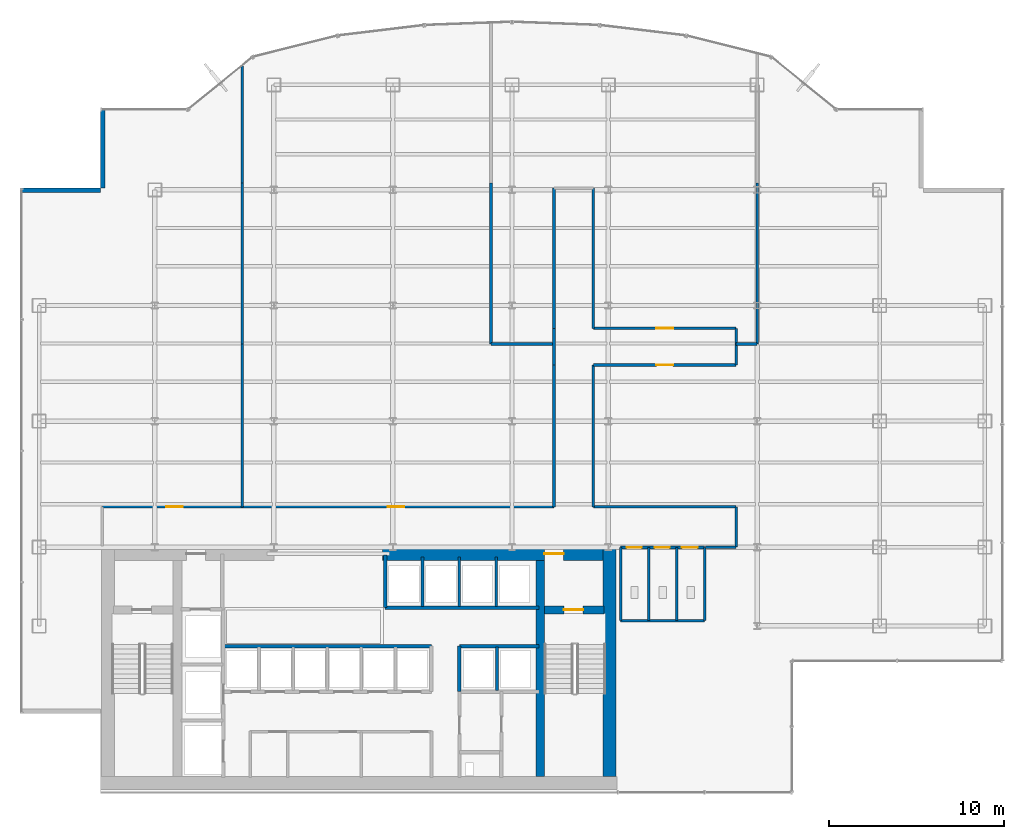
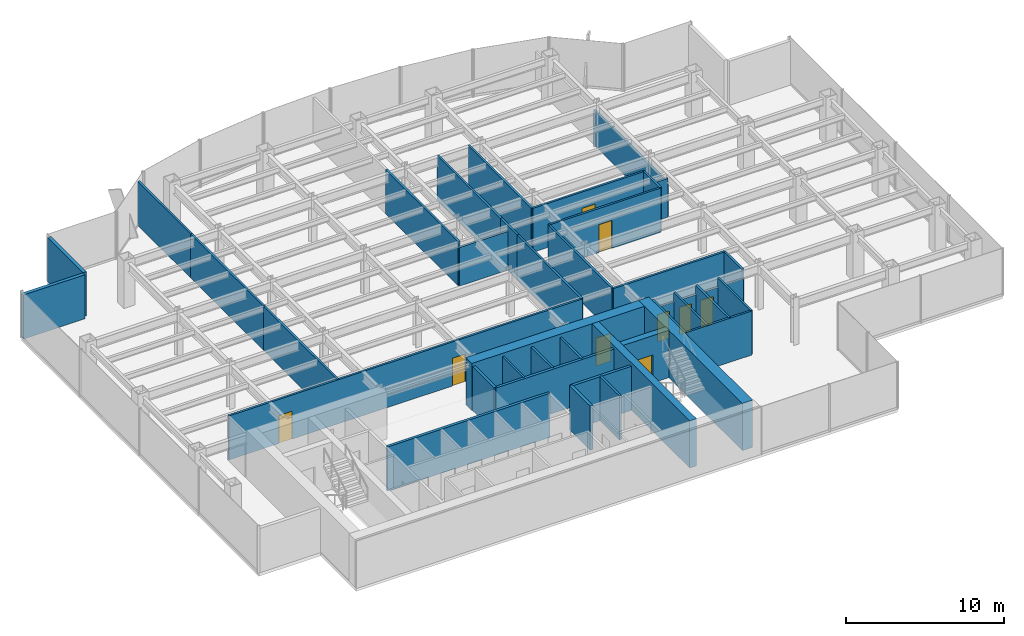
# One storey, part 22 of 26: 40 walls, 9 doors, 9 openings.
"""IFC4 building model written with IfcOpenShell, lengths in metres."""

from ifc_helpers import new_model, si_unit, derived_unit, direction, frame, frame_2d, origin, place, context, subcontext, project, spatial, rectangle, extrude, source, transform, mapped, material, layer, layer_set, type_object, element, fill, save


model = new_model("IFC4")

# Units and contexts
model_context = context("Model", 3, precision=1e-05, world=origin(), true_north=direction((0.0, 1.0)))
body_context = subcontext(model_context, "Body", "Model", "MODEL_VIEW")
ifc_project = project(units=[si_unit("LENGTHUNIT", "METRE"), si_unit("AREAUNIT", "SQUARE_METRE"), si_unit("VOLUMEUNIT", "CUBIC_METRE"), si_unit("PLANEANGLEUNIT", "RADIAN"), si_unit("MASSUNIT", "GRAM", prefix="KILO"), derived_unit("THERMALTRANSMITTANCEUNIT", [(si_unit("POWERUNIT", "WATT"), 1), (si_unit("LENGTHUNIT", "METRE"), -2), (si_unit("THERMODYNAMICTEMPERATUREUNIT", "KELVIN"), -1)])], contexts=[model_context])

# Site, building, storey
site_placement = place(None, origin())
site = spatial("IfcSite", under=ifc_project, at=site_placement, CompositionType="ELEMENT")
building_placement = place(site_placement, origin())
building = spatial("IfcBuilding", under=site, at=building_placement, Name="Skarnbrae Concourse Arena and Tower", CompositionType="ELEMENT")
storey_placement = place(building_placement, frame((0.0, 0.0, 99.60009765625)))
storey = spatial("IfcBuildingStorey", under=building, at=storey_placement, Name="L24", CompositionType="ELEMENT", Elevation=99.60009765625)

# Wall, opening, door
ifc_material_1 = material(Name="Concrete 50 MPa (C50/60)", Category="concrete")
ifc_layer_1 = layer(ifc_material_1, 0.449951171875)
ifc_layer_set_1 = layer_set([ifc_layer_1], Name="Concrete 50 MPa (C50/60)")
wall_type_1 = type_object("IfcWallType", Name="WALL-CORE-450-C50", PredefinedType="SHEAR", material=ifc_layer_set_1)
shared_shape_1 = source(origin(), body_context, "Body", "SweptSolid", [
    extrude(rectangle(XDim=3.389892578125, YDim=0.449951171875, at=frame_2d((1.69482421875, 0.0))), origin(), (0.0, 0.0, 1.0), 3.64990234375),
])
wall_1_placement = place(storey_placement, frame((29.860107421875, 10.419921875, 0.0), z_axis=(0.0, 0.0, 1.0), x_axis=(1.0, 0.0, 0.0)))
wall_1 = element("IfcWall", 1, at=wall_1_placement, inside=storey, type_object=wall_type_1, Name="L24 Rear core shear wall CW-ST2-N", PredefinedType="SHEAR", context=body_context, shape_type="MappedRepresentation", body=[
    mapped(shared_shape_1, transform((0.0, 0.0, 0.0))),
])
opening_1_placement = place(wall_1_placement, frame((1.10009765625, 0.0, 0.0)))
opening_1 = element("IfcOpeningElement", 2, at=opening_1_placement, cuts=wall_1, Name="Opening DT-03", PredefinedType="OPENING", context=body_context, shape_type="SweptSolid", body=[
    extrude(rectangle(XDim=1.10009765625, YDim=2.14990234375, at=frame_2d((0.550048828125, 1.074951171875))), frame((0.0, 0.23486328125, 0.0), z_axis=(0.0, -1.0, 0.0), x_axis=(1.0, 0.0, 0.0)), (0.0, 0.0, 1.0), 0.469970703125),
])
ifc_material_2 = material(Name="Steel CSA G40.21 350W", Category="steel")
door_type_1 = type_object("IfcDoorType", Name="DOOR-FIRE-1100-90M", OperationType="NOTDEFINED", PredefinedType="DOOR", material=ifc_material_2)
shared_shape_2 = source(origin(), body_context, "Body", "SweptSolid", [
    extrude(rectangle(XDim=1.10009765625, YDim=2.14990234375, at=frame_2d((0.550048828125, 1.074951171875))), frame((0.0, 0.02490234375, 0.0), z_axis=(0.0, -1.0, 0.0), x_axis=(1.0, 0.0, 0.0)), (0.0, 0.0, 1.0), 0.050048828125),
])
door_1_placement = place(opening_1_placement, frame((1.10009765625, 0.0, 0.0), z_axis=(0.0, 0.0, 1.0), x_axis=(-1.0, 0.0, 0.0)))
door_1 = element("IfcDoor", 3, at=door_1_placement, inside=storey, type_object=door_type_1, Name="D-0813 Stair ST-2 Door", OperationType="SINGLE_SWING_RIGHT", OverallHeight=2.14990234375, OverallWidth=1.10009765625, PredefinedType="DOOR", context=body_context, shape_type="MappedRepresentation", body=[
    mapped(shared_shape_2, transform((0.0, 0.0, 0.0))),
])
fill(opening_1, door_1)

# Wall
ifc_material_3 = material(Name="Concrete 60 MPa (C60/75)", Category="concrete")
ifc_layer_2 = layer(ifc_material_3, 0.75)
ifc_layer_set_2 = layer_set([ifc_layer_2], Name="Concrete 60 MPa (C60/75)")
wall_type_2 = type_object("IfcWallType", Name="WALL-CORE-750-C60", PredefinedType="SHEAR", material=ifc_layer_set_2)
shared_shape_3 = source(origin(), body_context, "Body", "SweptSolid", [
    extrude(rectangle(XDim=13.10009765625, YDim=0.75, at=frame_2d((6.550048828125, 0.0))), origin(), (0.0, 0.0, 1.0), 3.64990234375),
])
wall_2_placement = place(storey_placement, frame((33.574951171875, 0.89990234375, 0.0), z_axis=(0.0, 0.0, 1.0), x_axis=(0.0, 1.0, 0.0)))
element("IfcWall", 4, at=wall_2_placement, inside=storey, type_object=wall_type_2, Name="L24 Rear core shear wall CW-E", PredefinedType="SHEAR", context=body_context, shape_type="MappedRepresentation", body=[
    mapped(shared_shape_3, transform((0.0, 0.0, 0.0))),
])

# Wall, opening, door
shared_shape_4 = source(origin(), body_context, "Body", "SweptSolid", [
    extrude(rectangle(XDim=12.599853515625, YDim=0.75, at=frame_2d((6.2998046875, 0.0))), origin(), (0.0, 0.0, 1.0), 3.64990234375),
])
wall_3_placement = place(storey_placement, frame((20.60009765625, 13.625, 0.0), z_axis=(0.0, 0.0, 1.0), x_axis=(1.0, 0.0, 0.0)))
wall_3 = element("IfcWall", 5, at=wall_3_placement, inside=storey, type_object=wall_type_2, Name="L24 Rear core shear wall CW-NE", PredefinedType="SHEAR", context=body_context, shape_type="MappedRepresentation", body=[
    mapped(shared_shape_4, transform((0.0, 0.0, 0.0))),
])
opening_2_placement = place(wall_3_placement, frame((9.25, 0.0, 0.0)))
opening_2 = element("IfcOpeningElement", 6, at=opening_2_placement, cuts=wall_3, Name="Opening DT-03", PredefinedType="OPENING", context=body_context, shape_type="SweptSolid", body=[
    extrude(rectangle(XDim=1.10009765625, YDim=2.14990234375, at=frame_2d((0.550048828125, 1.074951171875))), frame((0.0, 0.385009765625, 0.0), z_axis=(0.0, -1.0, 0.0), x_axis=(1.0, 0.0, 0.0)), (0.0, 0.0, 1.0), 0.77001953125),
])
door_2_placement = place(opening_2_placement, origin())
door_2 = element("IfcDoor", 7, at=door_2_placement, inside=storey, type_object=door_type_1, Name="D-0815 Stair ST-2 Vestibule Door", OperationType="SINGLE_SWING_LEFT", OverallHeight=2.14990234375, OverallWidth=1.10009765625, PredefinedType="DOOR", context=body_context, shape_type="MappedRepresentation", body=[
    mapped(shared_shape_2, transform((0.0, 0.0, 0.0))),
])
fill(opening_2, door_2)

# Walls
ifc_layer_3 = layer(ifc_material_3, 0.5)
ifc_layer_set_3 = layer_set([ifc_layer_3], Name="Concrete 60 MPa (C60/75)")
wall_type_3 = type_object("IfcWallType", Name="WALL-CORE-500-C60", PredefinedType="SHEAR", material=ifc_layer_set_3)
shared_shape_5 = source(origin(), body_context, "Body", "SweptSolid", [
    extrude(rectangle(XDim=12.35009765625, YDim=0.5, at=frame_2d((6.175048828125, 0.0))), origin(), (0.0, 0.0, 1.0), 3.64990234375),
])
wall_4_placement = place(storey_placement, frame((29.610107421875, 0.89990234375, 0.0), z_axis=(0.0, 0.0, 1.0), x_axis=(0.0, 1.0, 0.0)))
element("IfcWall", 8, at=wall_4_placement, inside=storey, type_object=wall_type_3, Name="L24 Rear core shear wall CW-WEB-E", PredefinedType="SHEAR", context=body_context, shape_type="MappedRepresentation", body=[
    mapped(shared_shape_5, transform((0.0, 0.0, 0.0))),
])
ifc_material_4 = material(Name="Precast concrete 40 MPa (C40/50)", Category="concrete")
ifc_layer_4 = layer(ifc_material_4, 0.25)
ifc_layer_set_4 = layer_set([ifc_layer_4], Name="Precast concrete 40 MPa (C40/50)")
wall_type_4 = type_object("IfcWallType", Name="WALL-EXT-SPANDREL-250", PredefinedType="STANDARD", material=ifc_layer_set_4)
shared_shape_6 = source(origin(), body_context, "Body", "SweptSolid", [
    extrude(rectangle(XDim=4.5, YDim=0.25, at=frame_2d((2.25, 0.0))), origin(), (0.0, 0.0, 1.0), 3.39990234375),
])
for number, where, z_axis, x_axis, name in (
    (9, (4.625, 39.0, 0.0), (0.0, 0.0, 1.0), (0.0, -1.0, 0.0), "L24 Notched corner insulated return wall 17"),
    (10, (4.5, 34.375, 0.0), (0.0, 0.0, 1.0), (-1.0, 0.0, 0.0), "L24 Notched corner insulated return wall 18"),
):
    element("IfcWall", number, at=place(storey_placement, frame(where, z_axis=z_axis, x_axis=x_axis)), inside=storey, type_object=wall_type_4, Name=name, PredefinedType="STANDARD", context=body_context, shape_type="MappedRepresentation", body=[
        mapped(shared_shape_6, transform((0.0, 0.0, 0.0))),
    ])
ifc_material_5 = material(Name="Gypsum board on cold-formed steel studs", Category="steel")
ifc_layer_5 = layer(ifc_material_5, 0.199951171875)
ifc_layer_set_5 = layer_set([ifc_layer_5], Name="Gypsum board on cold-formed steel studs")
wall_type_5 = type_object("IfcWallType", Name="WALL-PART-200-2HR", PredefinedType="PARTITIONING", material=ifc_layer_set_5)
shared_shape_7 = source(origin(), body_context, "Body", "SweptSolid", [
    extrude(rectangle(XDim=11.849853515625, YDim=0.199951171875, at=frame_2d((5.9248046875, 0.0))), origin(), (0.0, 0.0, 1.0), 3.39990234375),
])
wall_5_placement = place(storey_placement, frame((11.550048828125, 8.35009765625, 0.0), z_axis=(0.0, 0.0, 1.0), x_axis=(1.0, 0.0, 0.0)))
element("IfcWall", 11, at=wall_5_placement, inside=storey, type_object=wall_type_5, Name="L24 Interior partition wall W-L24-B2-N", PredefinedType="PARTITIONING", context=body_context, shape_type="MappedRepresentation", body=[
    mapped(shared_shape_7, transform((0.0, 0.0, 0.0))),
])
shared_shape_8 = source(origin(), body_context, "Body", "SweptSolid", [
    extrude(rectangle(XDim=2.60009765625, YDim=0.199951171875, at=frame_2d((1.300048828125, 0.0))), origin(), (0.0, 0.0, 1.0), 3.39990234375),
])
wall_6_placement = place(storey_placement, frame((25.0, 5.75, 0.0), z_axis=(0.0, 0.0, 1.0), x_axis=(0.0, 1.0, 0.0)))
element("IfcWall", 12, at=wall_6_placement, inside=storey, type_object=wall_type_5, Name="L24 Interior partition wall W-L24-B3S-W", PredefinedType="PARTITIONING", context=body_context, shape_type="MappedRepresentation", body=[
    mapped(shared_shape_8, transform((0.0, 0.0, 0.0))),
])
ifc_layer_6 = layer(ifc_material_5, 0.14990234375)
ifc_layer_set_6 = layer_set([ifc_layer_6], Name="Gypsum board on cold-formed steel studs")
wall_type_6 = type_object("IfcWallType", Name="WALL-PART-150", PredefinedType="PARTITIONING", material=ifc_layer_set_6)
shared_shape_9 = source(origin(), body_context, "Body", "SweptSolid", [
    extrude(rectangle(XDim=2.5, YDim=0.14990234375, at=frame_2d((1.25, 0.0))), origin(), (0.0, 0.0, 1.0), 3.39990234375),
])
wall_7_placement = place(storey_placement, frame((27.139892578125, 5.800048828125, 0.0), z_axis=(0.0, 0.0, 1.0), x_axis=(0.0, 1.0, 0.0)))
element("IfcWall", 13, at=wall_7_placement, inside=storey, type_object=wall_type_6, Name="L24 Interior partition wall W-L24-B3S-P1", PredefinedType="PARTITIONING", context=body_context, shape_type="MappedRepresentation", body=[
    mapped(shared_shape_9, transform((0.0, 0.0, 0.0))),
])
shared_shape_10 = source(origin(), body_context, "Body", "SweptSolid", [
    extrude(rectangle(XDim=8.800048828125, YDim=0.199951171875, at=frame_2d((4.39990234375, 0.0))), origin(), (0.0, 0.0, 1.0), 3.39990234375),
])
wall_8_placement = place(storey_placement, frame((20.75, 10.550048828125, 0.0), z_axis=(0.0, 0.0, 1.0), x_axis=(1.0, 0.0, 0.0)))
element("IfcWall", 14, at=wall_8_placement, inside=storey, type_object=wall_type_5, Name="L24 Interior partition wall W-L24-B3N-S", PredefinedType="PARTITIONING", context=body_context, shape_type="MappedRepresentation", body=[
    mapped(shared_shape_10, transform((0.0, 0.0, 0.0))),
])
shared_shape_11 = source(origin(), body_context, "Body", "SweptSolid", [
    extrude(rectangle(XDim=3.0, YDim=0.199951171875, at=frame_2d((1.5, 0.0))), origin(), (0.0, 0.0, 1.0), 3.39990234375),
])
wall_9_placement = place(storey_placement, frame((20.75, 10.550048828125, 0.0), z_axis=(0.0, 0.0, 1.0), x_axis=(0.0, 1.0, 0.0)))
element("IfcWall", 15, at=wall_9_placement, inside=storey, type_object=wall_type_5, Name="L24 Interior partition wall W-L24-B3N-W", PredefinedType="PARTITIONING", context=body_context, shape_type="MappedRepresentation", body=[
    mapped(shared_shape_11, transform((0.0, 0.0, 0.0))),
])
shared_shape_12 = source(origin(), body_context, "Body", "SweptSolid", [
    extrude(rectangle(XDim=2.849853515625, YDim=0.14990234375, at=frame_2d((1.4248046875, 0.0))), origin(), (0.0, 0.0, 1.0), 3.39990234375),
])
for number, where, z_axis, x_axis, name in (
    (16, (22.889892578125, 10.60009765625, 0.0), (0.0, 0.0, 1.0), (0.0, 1.0, 0.0), "L24 Interior partition wall W-L24-B3N-P1"),
    (17, (24.989990234375, 10.60009765625, 0.0), (0.0, 0.0, 1.0), (0.0, 1.0, 0.0), "L24 Interior partition wall W-L24-B3N-P2"),
    (18, (27.090087890625, 10.60009765625, 0.0), (0.0, 0.0, 1.0), (0.0, 1.0, 0.0), "L24 Interior partition wall W-L24-B3N-P3"),
):
    element("IfcWall", number, at=place(storey_placement, frame(where, z_axis=z_axis, x_axis=x_axis)), inside=storey, type_object=wall_type_6, Name=name, PredefinedType="PARTITIONING", context=body_context, shape_type="MappedRepresentation", body=[
        mapped(shared_shape_12, transform((0.0, 0.0, 0.0))),
    ])
shared_shape_13 = source(origin(), body_context, "Body", "SweptSolid", [
    extrude(rectangle(XDim=4.550048828125, YDim=0.199951171875, at=frame_2d((2.27490234375, 0.0))), origin(), (0.0, 0.0, 1.0), 3.39990234375),
])
wall_10_placement = place(storey_placement, frame((25.0, 8.35009765625, 0.0), z_axis=(0.0, 0.0, 1.0), x_axis=(1.0, 0.0, 0.0)))
element("IfcWall", 19, at=wall_10_placement, inside=storey, type_object=wall_type_5, Name="L24 Interior partition wall W-L24-B3S-N", PredefinedType="PARTITIONING", context=body_context, shape_type="MappedRepresentation", body=[
    mapped(shared_shape_13, transform((0.0, 0.0, 0.0))),
])
shared_shape_14 = source(origin(), body_context, "Body", "SweptSolid", [
    extrude(rectangle(XDim=4.800048828125, YDim=0.14990234375, at=frame_2d((2.39990234375, 0.0))), origin(), (0.0, 0.0, 1.0), 3.39990234375),
])
wall_11_placement = place(storey_placement, frame((34.199951171875, 9.800048828125, 0.0), z_axis=(0.0, 0.0, 1.0), x_axis=(1.0, 0.0, 0.0)))
element("IfcWall", 20, at=wall_11_placement, inside=storey, type_object=wall_type_6, Name="L24 Interior partition wall W-L24-WC-S", PredefinedType="PARTITIONING", context=body_context, shape_type="MappedRepresentation", body=[
    mapped(shared_shape_14, transform((0.0, 0.0, 0.0))),
])
shared_shape_15 = source(origin(), body_context, "Body", "SweptSolid", [
    extrude(rectangle(XDim=4.179931640625, YDim=0.14990234375, at=frame_2d((2.08984375, 0.0))), origin(), (0.0, 0.0, 1.0), 3.39990234375),
])
for number, where, z_axis, x_axis, name in (
    (21, (39.0, 9.800048828125, 0.0), (0.0, 0.0, 1.0), (0.0, 1.0, 0.0), "L24 Interior partition wall W-L24-WC-E"),
    (22, (34.199951171875, 9.800048828125, 0.0), (0.0, 0.0, 1.0), (0.0, 1.0, 0.0), "L24 Interior partition wall W-L24-WC-W"),
    (23, (35.800048828125, 9.800048828125, 0.0), (0.0, 0.0, 1.0), (0.0, 1.0, 0.0), "L24 Interior partition wall W-L24-WC-D1"),
    (24, (37.39990234375, 9.800048828125, 0.0), (0.0, 0.0, 1.0), (0.0, 1.0, 0.0), "L24 Interior partition wall W-L24-WC-D2"),
):
    element("IfcWall", number, at=place(storey_placement, frame(where, z_axis=z_axis, x_axis=x_axis)), inside=storey, type_object=wall_type_6, Name=name, PredefinedType="PARTITIONING", context=body_context, shape_type="MappedRepresentation", body=[
        mapped(shared_shape_15, transform((0.0, 0.0, 0.0))),
    ])
shared_shape_16 = source(origin(), body_context, "Body", "SweptSolid", [
    extrude(rectangle(XDim=9.199951171875, YDim=0.14990234375, at=frame_2d((4.60009765625, 0.0))), origin(), (0.0, 0.0, 1.0), 3.39990234375),
])
for number, where, z_axis, x_axis, name in (
    (25, (12.60009765625, 34.800048828125, 0.0), (0.0, 0.0, 1.0), (0.0, -1.0, 0.0), "L24 Interior partition wall W-L24-DEM-16"),
    (26, (26.800048828125, 34.800048828125, 0.0), (0.0, 0.0, 1.0), (0.0, -1.0, 0.0), "L24 Interior partition wall W-L24-DEM-19"),
):
    element("IfcWall", number, at=place(storey_placement, frame(where, z_axis=z_axis, x_axis=x_axis)), inside=storey, type_object=wall_type_6, Name=name, PredefinedType="PARTITIONING", context=body_context, shape_type="MappedRepresentation", body=[
        mapped(shared_shape_16, transform((0.0, 0.0, 0.0))),
    ])

# Wall, openings, doors
shared_shape_17 = source(origin(), body_context, "Body", "SweptSolid", [
    extrude(rectangle(XDim=4.800048828125, YDim=0.14990234375, at=frame_2d((2.39990234375, 0.0))), origin(), (0.0, 0.0, 1.0), 2.701904296875),
])
wall_12_placement = place(storey_placement, frame((34.199951171875, 13.97998046875, 0.0), z_axis=(0.0, 0.0, 1.0), x_axis=(1.0, 0.0, 0.0)))
wall_12 = element("IfcWall", 27, at=wall_12_placement, inside=storey, type_object=wall_type_6, Name="L24 Interior partition wall W-L24-WC-N", PredefinedType="PARTITIONING", context=body_context, shape_type="MappedRepresentation", body=[
    mapped(shared_shape_17, transform((0.0, 0.0, 0.0))),
])
opening_3_placement = place(wall_12_placement, frame((0.35009765625, 0.0, 0.0)))
opening_3 = element("IfcOpeningElement", 28, at=opening_3_placement, cuts=wall_12, Name="Opening DT-06", PredefinedType="OPENING", context=body_context, shape_type="SweptSolid", body=[
    extrude(rectangle(XDim=0.85009765625, YDim=2.10009765625, at=frame_2d((0.425048828125, 1.050048828125))), frame((0.0, 0.0849609375, 0.0), z_axis=(0.0, -1.0, 0.0), x_axis=(1.0, 0.0, 0.0)), (0.0, 0.0, 1.0), 0.169921875),
])
opening_4_placement = place(wall_12_placement, frame((1.949951171875, 0.0, 0.0)))
opening_4 = element("IfcOpeningElement", 29, at=opening_4_placement, cuts=wall_12, Name="Opening DT-06", PredefinedType="OPENING", context=body_context, shape_type="SweptSolid", body=[
    extrude(rectangle(XDim=0.85009765625, YDim=2.10009765625, at=frame_2d((0.425048828125, 1.050048828125))), frame((0.0, 0.0849609375, 0.0), z_axis=(0.0, -1.0, 0.0), x_axis=(1.0, 0.0, 0.0)), (0.0, 0.0, 1.0), 0.169921875),
])
opening_5_placement = place(wall_12_placement, frame((3.5, 0.0, 0.0)))
opening_5 = element("IfcOpeningElement", 30, at=opening_5_placement, cuts=wall_12, Name="Opening DT-05", PredefinedType="OPENING", context=body_context, shape_type="SweptSolid", body=[
    extrude(rectangle(XDim=0.89990234375, YDim=2.10009765625, at=frame_2d((0.449951171875, 1.050048828125))), frame((0.0, 0.0849609375, 0.0), z_axis=(0.0, -1.0, 0.0), x_axis=(1.0, 0.0, 0.0)), (0.0, 0.0, 1.0), 0.169921875),
])
ifc_material_6 = material(Name="Architectural oak veneer timber leaf", Category="wood")
door_type_2 = type_object("IfcDoorType", Name="DOOR-INT-850", OperationType="NOTDEFINED", PredefinedType="DOOR", material=ifc_material_6)
shared_shape_18 = source(origin(), body_context, "Body", "SweptSolid", [
    extrude(rectangle(XDim=0.85009765625, YDim=2.10009765625, at=frame_2d((0.425048828125, 1.050048828125))), frame((0.0, 0.02490234375, 0.0), z_axis=(0.0, -1.0, 0.0), x_axis=(1.0, 0.0, 0.0)), (0.0, 0.0, 1.0), 0.050048828125),
])
door_3_placement = place(opening_3_placement, frame((0.85009765625, 0.0, 0.0), z_axis=(0.0, 0.0, 1.0), x_axis=(-1.0, 0.0, 0.0)))
door_3 = element("IfcDoor", 31, at=door_3_placement, inside=storey, type_object=door_type_2, Name="D-0830 Male Washroom Door", OperationType="SINGLE_SWING_LEFT", OverallHeight=2.10009765625, OverallWidth=0.85009765625, PredefinedType="DOOR", context=body_context, shape_type="MappedRepresentation", body=[
    mapped(shared_shape_18, transform((0.0, 0.0, 0.0))),
])
fill(opening_3, door_3)
door_4_placement = place(opening_4_placement, frame((0.85009765625, 0.0, 0.0), z_axis=(0.0, 0.0, 1.0), x_axis=(-1.0, 0.0, 0.0)))
door_4 = element("IfcDoor", 32, at=door_4_placement, inside=storey, type_object=door_type_2, Name="D-0831 Female Washroom Door", OperationType="SINGLE_SWING_RIGHT", OverallHeight=2.10009765625, OverallWidth=0.85009765625, PredefinedType="DOOR", context=body_context, shape_type="MappedRepresentation", body=[
    mapped(shared_shape_18, transform((0.0, 0.0, 0.0))),
])
fill(opening_4, door_4)
door_type_3 = type_object("IfcDoorType", Name="DOOR-INT-900", OperationType="NOTDEFINED", PredefinedType="DOOR", material=ifc_material_6)
shared_shape_19 = source(origin(), body_context, "Body", "SweptSolid", [
    extrude(rectangle(XDim=0.89990234375, YDim=2.10009765625, at=frame_2d((0.449951171875, 1.050048828125))), frame((0.0, 0.02490234375, 0.0), z_axis=(0.0, -1.0, 0.0), x_axis=(1.0, 0.0, 0.0)), (0.0, 0.0, 1.0), 0.050048828125),
])
door_5_placement = place(opening_5_placement, frame((0.89990234375, 0.0, 0.0), z_axis=(0.0, 0.0, 1.0), x_axis=(-1.0, 0.0, 0.0)))
door_5 = element("IfcDoor", 33, at=door_5_placement, inside=storey, type_object=door_type_3, Name="D-0832 Accessible WC Door", OperationType="SINGLE_SWING_LEFT", OverallHeight=2.10009765625, OverallWidth=0.89990234375, PredefinedType="DOOR", context=body_context, shape_type="MappedRepresentation", body=[
    mapped(shared_shape_19, transform((0.0, 0.0, 0.0))),
])
fill(opening_5, door_5)

# Walls
ifc_layer_7 = layer(ifc_material_5, 0.14990234375)
ifc_layer_set_7 = layer_set([ifc_layer_7], Name="Gypsum board on cold-formed steel studs")
wall_type_7 = type_object("IfcWallType", Name="WALL-PART-150-1HR", PredefinedType="PARTITIONING", material=ifc_layer_set_7)
shared_shape_20 = source(origin(), body_context, "Body", "SweptSolid", [
    extrude(rectangle(XDim=2.10009765625, YDim=0.14990234375, at=frame_2d((1.050048828125, 0.0))), origin(), (0.0, 0.0, 1.0), 3.39990234375),
])
for number, where, z_axis, x_axis, name in (
    (34, (30.39990234375, 24.39990234375, 0.0), (0.0, 0.0, 1.0), (0.0, 1.0, 0.0), "L24 Interior partition wall W-L24-COR-04"),
    (35, (40.800048828125, 26.5, 0.0), (0.0, 0.0, 1.0), (0.0, -1.0, 0.0), "L24 Interior partition wall W-L24-COR-09"),
):
    element("IfcWall", number, at=place(storey_placement, frame(where, z_axis=z_axis, x_axis=x_axis)), inside=storey, type_object=wall_type_7, Name=name, PredefinedType="PARTITIONING", context=body_context, shape_type="MappedRepresentation", body=[
        mapped(shared_shape_20, transform((0.0, 0.0, 0.0))),
    ])
shared_shape_21 = source(origin(), body_context, "Body", "SweptSolid", [
    extrude(rectangle(XDim=2.300048828125, YDim=0.14990234375, at=frame_2d((1.14990234375, 0.0))), origin(), (0.0, 0.0, 1.0), 3.39990234375),
])
wall_13_placement = place(storey_placement, frame((40.800048828125, 16.300048828125, 0.0), z_axis=(0.0, 0.0, 1.0), x_axis=(0.0, -1.0, 0.0)))
element("IfcWall", 36, at=wall_13_placement, inside=storey, type_object=wall_type_7, Name="L24 Interior partition wall W-L24-COR-13", PredefinedType="PARTITIONING", context=body_context, shape_type="MappedRepresentation", body=[
    mapped(shared_shape_21, transform((0.0, 0.0, 0.0))),
])
shared_shape_22 = source(origin(), body_context, "Body", "SweptSolid", [
    extrude(rectangle(XDim=1.75, YDim=0.14990234375, at=frame_2d((0.875, 0.0))), origin(), (0.0, 0.0, 1.0), 2.701904296875),
])
wall_14_placement = place(storey_placement, frame((40.800048828125, 14.0, 0.0), z_axis=(0.0, 0.0, 1.0), x_axis=(-1.0, 0.0, 0.0)))
element("IfcWall", 37, at=wall_14_placement, inside=storey, type_object=wall_type_7, Name="L24 Interior partition wall W-L24-COR-14", PredefinedType="PARTITIONING", context=body_context, shape_type="MappedRepresentation", body=[
    mapped(shared_shape_22, transform((0.0, 0.0, 0.0))),
])

# Wall, openings, doors
shared_shape_23 = source(origin(), body_context, "Body", "SweptSolid", [
    extrude(rectangle(XDim=25.7998046875, YDim=0.14990234375, at=frame_2d((12.89990234375, 0.0))), origin(), (0.0, 0.0, 1.0), 3.39990234375),
])
wall_15_placement = place(storey_placement, frame((4.60009765625, 16.300048828125, 0.0), z_axis=(0.0, 0.0, 1.0), x_axis=(1.0, 0.0, 0.0)))
wall_15 = element("IfcWall", 38, at=wall_15_placement, inside=storey, type_object=wall_type_7, Name="L24 Interior partition wall W-L24-COR-02", PredefinedType="PARTITIONING", context=body_context, shape_type="MappedRepresentation", body=[
    mapped(shared_shape_23, transform((0.0, 0.0, 0.0))),
])
opening_6_placement = place(wall_15_placement, frame((3.655029296875, 0.0, 0.0)))
opening_6 = element("IfcOpeningElement", 39, at=opening_6_placement, cuts=wall_15, Name="Opening DT-04", PredefinedType="OPENING", context=body_context, shape_type="SweptSolid", body=[
    extrude(rectangle(XDim=0.949951171875, YDim=2.14990234375, at=frame_2d((0.47509765625, 1.074951171875))), frame((0.0, 0.0849609375, 0.0), z_axis=(0.0, -1.0, 0.0), x_axis=(1.0, 0.0, 0.0)), (0.0, 0.0, 1.0), 0.169921875),
])
opening_7_placement = place(wall_15_placement, frame((16.294921875, 0.0, 0.0)))
opening_7 = element("IfcOpeningElement", 40, at=opening_7_placement, cuts=wall_15, Name="Opening DT-04", PredefinedType="OPENING", context=body_context, shape_type="SweptSolid", body=[
    extrude(rectangle(XDim=0.949951171875, YDim=2.14990234375, at=frame_2d((0.47509765625, 1.074951171875))), frame((0.0, 0.0849609375, 0.0), z_axis=(0.0, -1.0, 0.0), x_axis=(1.0, 0.0, 0.0)), (0.0, 0.0, 1.0), 0.169921875),
])
door_type_4 = type_object("IfcDoorType", Name="DOOR-INT-950-45M", OperationType="NOTDEFINED", PredefinedType="DOOR", material=ifc_material_2)
shared_shape_24 = source(origin(), body_context, "Body", "SweptSolid", [
    extrude(rectangle(XDim=0.949951171875, YDim=2.14990234375, at=frame_2d((0.47509765625, 1.074951171875))), frame((0.0, 0.02490234375, 0.0), z_axis=(0.0, -1.0, 0.0), x_axis=(1.0, 0.0, 0.0)), (0.0, 0.0, 1.0), 0.050048828125),
])
door_6_placement = place(opening_6_placement, origin())
door_6 = element("IfcDoor", 41, at=door_6_placement, inside=storey, type_object=door_type_4, Name="D-0833 L24 Suite Door 01", OperationType="SINGLE_SWING_LEFT", OverallHeight=2.14990234375, OverallWidth=0.949951171875, PredefinedType="DOOR", context=body_context, shape_type="MappedRepresentation", body=[
    mapped(shared_shape_24, transform((0.0, 0.0, 0.0))),
])
fill(opening_6, door_6)
door_7_placement = place(opening_7_placement, origin())
door_7 = element("IfcDoor", 42, at=door_7_placement, inside=storey, type_object=door_type_4, Name="D-0834 L24 Suite Door 02", OperationType="SINGLE_SWING_RIGHT", OverallHeight=2.14990234375, OverallWidth=0.949951171875, PredefinedType="DOOR", context=body_context, shape_type="MappedRepresentation", body=[
    mapped(shared_shape_24, transform((0.0, 0.0, 0.0))),
])
fill(opening_7, door_7)

# Walls
shared_shape_25 = source(origin(), body_context, "Body", "SweptSolid", [
    extrude(rectangle(XDim=8.099853515625, YDim=0.14990234375, at=frame_2d((4.0498046875, 0.0))), origin(), (0.0, 0.0, 1.0), 3.39990234375),
])
for number, where, z_axis, x_axis, name in (
    (43, (30.39990234375, 16.300048828125, 0.0), (0.0, 0.0, 1.0), (0.0, 1.0, 0.0), "L24 Interior partition wall W-L24-COR-03"),
    (44, (32.64990234375, 24.39990234375, 0.0), (0.0, 0.0, 1.0), (0.0, -1.0, 0.0), "L24 Interior partition wall W-L24-COR-11"),
):
    element("IfcWall", number, at=place(storey_placement, frame(where, z_axis=z_axis, x_axis=x_axis)), inside=storey, type_object=wall_type_7, Name=name, PredefinedType="PARTITIONING", context=body_context, shape_type="MappedRepresentation", body=[
        mapped(shared_shape_25, transform((0.0, 0.0, 0.0))),
    ])
shared_shape_26 = source(origin(), body_context, "Body", "SweptSolid", [
    extrude(rectangle(XDim=8.0, YDim=0.14990234375, at=frame_2d((4.0, 0.0))), origin(), (0.0, 0.0, 1.0), 3.39990234375),
])
for number, where, z_axis, x_axis, name in (
    (45, (30.39990234375, 26.5, 0.0), (0.0, 0.0, 1.0), (0.0, 1.0, 0.0), "L24 Interior partition wall W-L24-COR-05"),
    (46, (32.64990234375, 34.5, 0.0), (0.0, 0.0, 1.0), (0.0, -1.0, 0.0), "L24 Interior partition wall W-L24-COR-07"),
):
    element("IfcWall", number, at=place(storey_placement, frame(where, z_axis=z_axis, x_axis=x_axis)), inside=storey, type_object=wall_type_7, Name=name, PredefinedType="PARTITIONING", context=body_context, shape_type="MappedRepresentation", body=[
        mapped(shared_shape_26, transform((0.0, 0.0, 0.0))),
    ])

# Wall, opening, door
shared_shape_27 = source(origin(), body_context, "Body", "SweptSolid", [
    extrude(rectangle(XDim=8.150146484375, YDim=0.14990234375, at=frame_2d((4.0751953125, 0.0))), origin(), (0.0, 0.0, 1.0), 3.39990234375),
])
wall_16_placement = place(storey_placement, frame((32.64990234375, 26.5, 0.0), z_axis=(0.0, 0.0, 1.0), x_axis=(1.0, 0.0, 0.0)))
wall_16 = element("IfcWall", 47, at=wall_16_placement, inside=storey, type_object=wall_type_7, Name="L24 Interior partition wall W-L24-COR-08", PredefinedType="PARTITIONING", context=body_context, shape_type="MappedRepresentation", body=[
    mapped(shared_shape_27, transform((0.0, 0.0, 0.0))),
])
opening_8_placement = place(wall_16_placement, frame((3.60009765625, 0.0, 0.0)))
opening_8 = element("IfcOpeningElement", 48, at=opening_8_placement, cuts=wall_16, Name="Opening DT-04", PredefinedType="OPENING", context=body_context, shape_type="SweptSolid", body=[
    extrude(rectangle(XDim=0.949951171875, YDim=2.14990234375, at=frame_2d((0.47509765625, 1.074951171875))), frame((0.0, 0.0849609375, 0.0), z_axis=(0.0, -1.0, 0.0), x_axis=(1.0, 0.0, 0.0)), (0.0, 0.0, 1.0), 0.169921875),
])
door_8_placement = place(opening_8_placement, origin())
door_8 = element("IfcDoor", 49, at=door_8_placement, inside=storey, type_object=door_type_4, Name="D-0835 L24 Suite Door 03", OperationType="SINGLE_SWING_LEFT", OverallHeight=2.14990234375, OverallWidth=0.949951171875, PredefinedType="DOOR", context=body_context, shape_type="MappedRepresentation", body=[
    mapped(shared_shape_24, transform((0.0, 0.0, 0.0))),
])
fill(opening_8, door_8)

wall_17_placement = place(storey_placement, frame((40.800048828125, 24.39990234375, 0.0), z_axis=(0.0, 0.0, 1.0), x_axis=(-1.0, 0.0, 0.0)))
wall_17 = element("IfcWall", 50, at=wall_17_placement, inside=storey, type_object=wall_type_7, Name="L24 Interior partition wall W-L24-COR-10", PredefinedType="PARTITIONING", context=body_context, shape_type="MappedRepresentation", body=[
    mapped(shared_shape_27, transform((0.0, 0.0, 0.0))),
])
opening_9_placement = place(wall_17_placement, frame((3.60009765625, 0.0, 0.0)))
opening_9 = element("IfcOpeningElement", 51, at=opening_9_placement, cuts=wall_17, Name="Opening DT-04", PredefinedType="OPENING", context=body_context, shape_type="SweptSolid", body=[
    extrude(rectangle(XDim=0.949951171875, YDim=2.14990234375, at=frame_2d((0.47509765625, 1.074951171875))), frame((0.0, 0.0849609375, 0.0), z_axis=(0.0, -1.0, 0.0), x_axis=(1.0, 0.0, 0.0)), (0.0, 0.0, 1.0), 0.169921875),
])
door_9_placement = place(opening_9_placement, origin())
door_9 = element("IfcDoor", 52, at=door_9_placement, inside=storey, type_object=door_type_4, Name="D-0836 L24 Suite Door 04", OperationType="SINGLE_SWING_RIGHT", OverallHeight=2.14990234375, OverallWidth=0.949951171875, PredefinedType="DOOR", context=body_context, shape_type="MappedRepresentation", body=[
    mapped(shared_shape_24, transform((0.0, 0.0, 0.0))),
])
fill(opening_9, door_9)

# Walls
wall_18_placement = place(storey_placement, frame((32.64990234375, 16.300048828125, 0.0), z_axis=(0.0, 0.0, 1.0), x_axis=(1.0, 0.0, 0.0)))
element("IfcWall", 53, at=wall_18_placement, inside=storey, type_object=wall_type_7, Name="L24 Interior partition wall W-L24-COR-12", PredefinedType="PARTITIONING", context=body_context, shape_type="MappedRepresentation", body=[
    mapped(shared_shape_27, transform((0.0, 0.0, 0.0))),
])
shared_shape_28 = source(origin(), body_context, "Body", "SweptSolid", [
    extrude(rectangle(XDim=6.69189453125, YDim=0.14990234375, at=frame_2d((3.345947265625, 0.0))), origin(), (0.0, 0.0, 1.0), 3.39990234375),
])
wall_19_placement = place(storey_placement, frame((12.60009765625, 41.491943359375, 0.0), z_axis=(0.0, 0.0, 1.0), x_axis=(0.0, -1.0, 0.0)))
element("IfcWall", 54, at=wall_19_placement, inside=storey, type_object=wall_type_6, Name="L24 Interior partition wall W-L24-DEM-15", PredefinedType="PARTITIONING", context=body_context, shape_type="MappedRepresentation", body=[
    mapped(shared_shape_28, transform((0.0, 0.0, 0.0))),
])
shared_shape_29 = source(origin(), body_context, "Body", "SweptSolid", [
    extrude(rectangle(XDim=9.300048828125, YDim=0.14990234375, at=frame_2d((4.64990234375, 0.0))), origin(), (0.0, 0.0, 1.0), 3.39990234375),
])
wall_20_placement = place(storey_placement, frame((12.60009765625, 25.60009765625, 0.0), z_axis=(0.0, 0.0, 1.0), x_axis=(0.0, -1.0, 0.0)))
element("IfcWall", 55, at=wall_20_placement, inside=storey, type_object=wall_type_6, Name="L24 Interior partition wall W-L24-DEM-17", PredefinedType="PARTITIONING", context=body_context, shape_type="MappedRepresentation", body=[
    mapped(shared_shape_29, transform((0.0, 0.0, 0.0))),
])
shared_shape_30 = source(origin(), body_context, "Body", "SweptSolid", [
    extrude(rectangle(XDim=3.599853515625, YDim=0.14990234375, at=frame_2d((1.7998046875, 0.0))), origin(), (0.0, 0.0, 1.0), 2.98779296875),
])
wall_21_placement = place(storey_placement, frame((26.800048828125, 25.60009765625, 0.0), z_axis=(0.0, 0.0, 1.0), x_axis=(1.0, 0.0, 0.0)))
element("IfcWall", 56, at=wall_21_placement, inside=storey, type_object=wall_type_6, Name="L24 Interior partition wall W-L24-DEM-20", PredefinedType="PARTITIONING", context=body_context, shape_type="MappedRepresentation", body=[
    mapped(shared_shape_30, transform((0.0, 0.0, 0.0))),
])
shared_shape_31 = source(origin(), body_context, "Body", "SweptSolid", [
    extrude(rectangle(XDim=9.199951171875, YDim=0.14990234375, at=frame_2d((4.60009765625, 0.0))), origin(), (0.0, 0.0, 1.0), 2.701904296875),
])
wall_22_placement = place(storey_placement, frame((42.0, 34.800048828125, 0.0), z_axis=(0.0, 0.0, 1.0), x_axis=(0.0, -1.0, 0.0)))
element("IfcWall", 57, at=wall_22_placement, inside=storey, type_object=wall_type_6, Name="L24 Interior partition wall W-L24-DEM-22", PredefinedType="PARTITIONING", context=body_context, shape_type="MappedRepresentation", body=[
    mapped(shared_shape_31, transform((0.0, 0.0, 0.0))),
])
shared_shape_32 = source(origin(), body_context, "Body", "SweptSolid", [
    extrude(rectangle(XDim=1.199951171875, YDim=0.14990234375, at=frame_2d((0.60009765625, 0.0))), origin(), (0.0, 0.0, 1.0), 2.98779296875),
])
wall_23_placement = place(storey_placement, frame((42.0, 25.60009765625, 0.0), z_axis=(0.0, 0.0, 1.0), x_axis=(-1.0, 0.0, 0.0)))
element("IfcWall", 58, at=wall_23_placement, inside=storey, type_object=wall_type_6, Name="L24 Interior partition wall W-L24-DEM-23", PredefinedType="PARTITIONING", context=body_context, shape_type="MappedRepresentation", body=[
    mapped(shared_shape_32, transform((0.0, 0.0, 0.0))),
])

save(model, "model.ifc")
